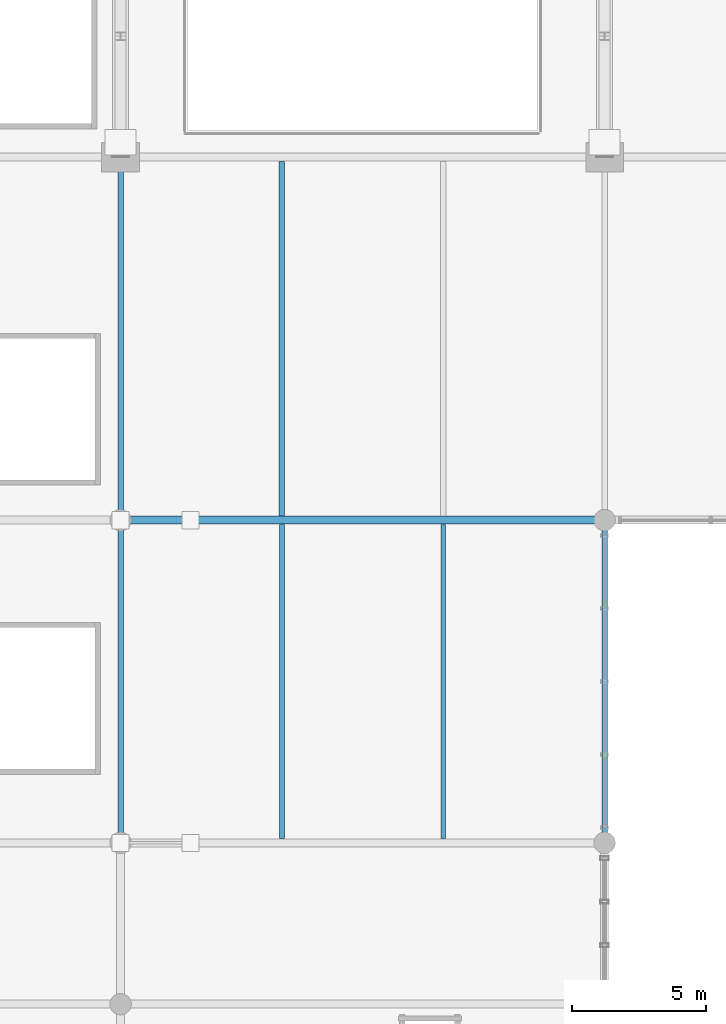
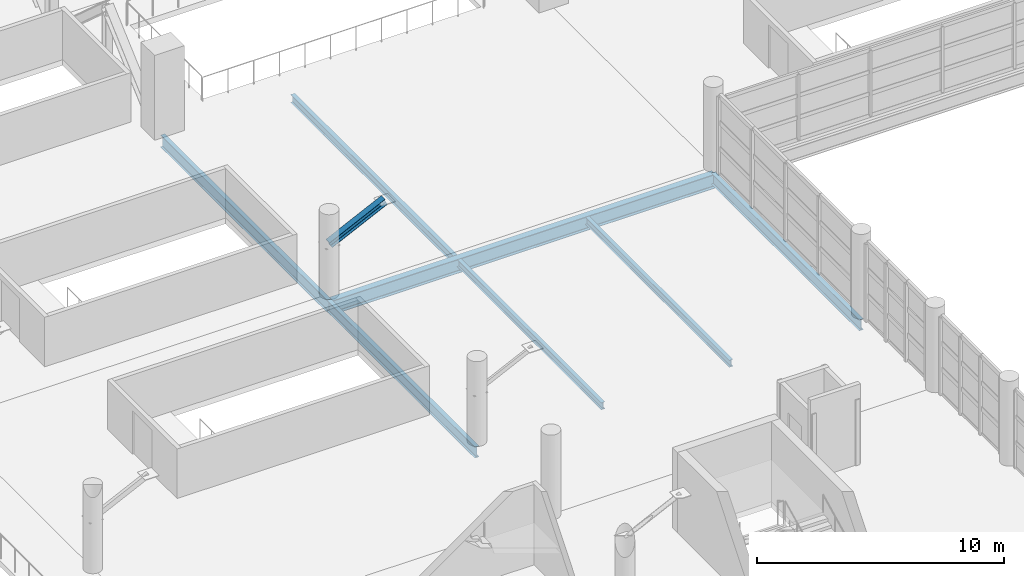
# One storey, part 20 of 136: 7 beams, 1 member.
"""IFC4 building model written with IfcOpenShell, lengths in metres."""

from ifc_helpers import new_model, si_unit, direction, frame, origin, origin_2d, place, context, subcontext, project, spatial, i_section, extrude, material, material_profile, profile_set, type_object, element, save


model = new_model("IFC4")

# Units and contexts
model_context = context("Model", 3, precision=1e-05, world=origin(), true_north=direction((0.0, 1.0)))
body_context = subcontext(model_context, "Body", "Model", "MODEL_VIEW")
ifc_project = project(units=[si_unit("LENGTHUNIT", "METRE"), si_unit("AREAUNIT", "SQUARE_METRE"), si_unit("VOLUMEUNIT", "CUBIC_METRE"), si_unit("PLANEANGLEUNIT", "RADIAN"), si_unit("MASSUNIT", "GRAM", prefix="KILO")], contexts=[model_context])

# Site, building, storey
site_placement = place(None, origin())
site = spatial("IfcSite", under=ifc_project, at=site_placement, CompositionType="ELEMENT")
building_placement = place(site_placement, origin())
building = spatial("IfcBuilding", under=site, at=building_placement, Name="Chuanluo Vaults Station", CompositionType="ELEMENT")
storey_placement = place(building_placement, frame((0.0, 0.0, 6.60009765625)))
storey = spatial("IfcBuildingStorey", under=building, at=storey_placement, Name="L01", CompositionType="ELEMENT", Elevation=6.60009765625)

# Beams
ifc_material_1 = material(Name="Steel Q355C", Category="steel")
ifc_material_profile_1 = material_profile(ifc_material_1, i_section(OverallWidth=0.199951171875, OverallDepth=0.550048828125, WebThickness=0.010009765625, FlangeThickness=0.01611328125, FilletRadius=0.01806640625, at=origin_2d()))
ifc_profile_set_1 = profile_set([ifc_material_profile_1], Name="Steel Q355C")
beam_type_1 = type_object("IfcBeamType", Name="BM-GRD-550", PredefinedType="USERDEFINED", material=ifc_profile_set_1)
for number, where, z_axis, x_axis, name in (
    (1, (72.0, 42.0, -0.55517578125), (0.0, 1.0, 0.0), (-1.0, 0.0, 0.0), "Floor girder BM:GY:L01:0436"),
    (2, (90.0, 42.0, -0.55517578125), (0.0, 1.0, 0.0), (-1.0, 0.0, 0.0), "Floor girder BM:GY:L01:0443"),
):
    element("IfcBeam", number, at=place(storey_placement, frame(where, z_axis=z_axis, x_axis=x_axis)), inside=storey, type_object=beam_type_1, Name=name, ObjectType="GIRDER", PredefinedType="USERDEFINED", context=body_context, shape_type="SweptSolid", body=[
        extrude(i_section(OverallWidth=0.199951171875, OverallDepth=0.550048828125, WebThickness=0.010009765625, FlangeThickness=0.01611328125, FilletRadius=0.01806640625, at=origin_2d()), origin(), (0.0, 0.0, 1.0), 12.0),
    ])
ifc_material_2 = material(Name="Steel Q355C", Category="steel")
ifc_material_profile_2 = material_profile(ifc_material_2, i_section(OverallWidth=0.199951171875, OverallDepth=0.60009765625, WebThickness=0.010986328125, FlangeThickness=0.01708984375, FilletRadius=0.01806640625, at=origin_2d()))
ifc_profile_set_2 = profile_set([ifc_material_profile_2], Name="Steel Q355C")
beam_type_2 = type_object("IfcBeamType", Name="BM-GRD-600", PredefinedType="USERDEFINED", material=ifc_profile_set_2)
beam_1_placement = place(storey_placement, frame((72.0, 54.0, -0.580078125), z_axis=(0.0, 1.0, 0.0), x_axis=(-1.0, 0.0, 0.0)))
element("IfcBeam", 3, at=beam_1_placement, inside=storey, type_object=beam_type_2, Name="Floor girder BM:GY:L01:0437", ObjectType="GIRDER", PredefinedType="USERDEFINED", context=body_context, shape_type="SweptSolid", body=[
    extrude(i_section(OverallWidth=0.199951171875, OverallDepth=0.60009765625, WebThickness=0.010986328125, FlangeThickness=0.01708984375, FilletRadius=0.01806640625, at=origin_2d()), origin(), (0.0, 0.0, 1.0), 13.5),
])
ifc_material_3 = material(Name="Steel Q355C", Category="steel")
ifc_material_profile_3 = material_profile(ifc_material_3, i_section(OverallWidth=0.300048828125, OverallDepth=0.699951171875, WebThickness=0.012939453125, FlangeThickness=0.02392578125, FilletRadius=0.02197265625, at=origin_2d()))
ifc_profile_set_3 = profile_set([ifc_material_profile_3], Name="Steel Q355C")
beam_type_3 = type_object("IfcBeamType", Name="BM-GRD-700", PredefinedType="USERDEFINED", material=ifc_profile_set_3)
beam_2_placement = place(storey_placement, frame((72.0, 54.0, -0.630126953125), z_axis=(1.0, 0.0, 0.0), x_axis=(0.0, 1.0, 0.0)))
element("IfcBeam", 4, at=beam_2_placement, inside=storey, type_object=beam_type_3, Name="Floor girder BM:GX:L01:0326", ObjectType="GIRDER", PredefinedType="USERDEFINED", context=body_context, shape_type="SweptSolid", body=[
    extrude(i_section(OverallWidth=0.300048828125, OverallDepth=0.699951171875, WebThickness=0.012939453125, FlangeThickness=0.02392578125, FilletRadius=0.02197265625, at=origin_2d()), origin(), (0.0, 0.0, 1.0), 18.0),
])
ifc_material_4 = material(Name="Steel Q355C", Category="steel")
ifc_material_profile_4 = material_profile(ifc_material_4, i_section(OverallWidth=0.175048828125, OverallDepth=0.35009765625, WebThickness=0.007080078125, FlangeThickness=0.010986328125, FilletRadius=0.013916015625, at=origin_2d()))
ifc_profile_set_4 = profile_set([ifc_material_profile_4], Name="Steel Q355C")
beam_type_4 = type_object("IfcBeamType", Name="BM-SEC-350", PredefinedType="JOIST", material=ifc_profile_set_4)
for number, where, z_axis, x_axis, name in (
    (5, (78.0, 42.155029296875, -0.455078125), (0.0, 1.0, 0.0), (-1.0, 0.0, 0.0), "Composite secondary joist 0128"),
    (6, (84.0, 42.155029296875, -0.455078125), (0.0, 1.0, 0.0), (-1.0, 0.0, 0.0), "Composite secondary joist 0129"),
):
    element("IfcBeam", number, at=place(storey_placement, frame(where, z_axis=z_axis, x_axis=x_axis)), inside=storey, type_object=beam_type_4, Name=name, PredefinedType="JOIST", context=body_context, shape_type="SweptSolid", body=[
        extrude(i_section(OverallWidth=0.175048828125, OverallDepth=0.35009765625, WebThickness=0.007080078125, FlangeThickness=0.010986328125, FilletRadius=0.013916015625, at=origin_2d()), origin(), (0.0, 0.0, 1.0), 11.68994140625),
    ])
ifc_material_5 = material(Name="Steel Q355C", Category="steel")
ifc_material_profile_5 = material_profile(ifc_material_5, i_section(OverallWidth=0.199951171875, OverallDepth=0.39990234375, WebThickness=0.008056640625, FlangeThickness=0.012939453125, FilletRadius=0.01611328125, at=origin_2d()))
ifc_profile_set_5 = profile_set([ifc_material_profile_5], Name="Steel Q355C")
beam_type_5 = type_object("IfcBeamType", Name="BM-SEC-400", PredefinedType="BEAM", material=ifc_profile_set_5)
beam_3_placement = place(storey_placement, frame((78.0, 54.155029296875, -0.47998046875), z_axis=(0.0, 1.0, 0.0), x_axis=(-1.0, 0.0, 0.0)))
element("IfcBeam", 7, at=beam_3_placement, inside=storey, type_object=beam_type_5, Name="Composite secondary joist 0130", PredefinedType="BEAM", context=body_context, shape_type="SweptSolid", body=[
    extrude(i_section(OverallWidth=0.199951171875, OverallDepth=0.39990234375, WebThickness=0.008056640625, FlangeThickness=0.012939453125, FilletRadius=0.01611328125, at=origin_2d()), origin(), (0.0, 0.0, 1.0), 13.18994140625),
])

# Member
ifc_material_6 = material(Name="Steel Q355C", Category="steel")
ifc_material_profile_6 = material_profile(ifc_material_6, i_section(OverallWidth=0.300048828125, OverallDepth=0.31005859375, WebThickness=0.010009765625, FlangeThickness=0.014892578125, FilletRadius=0.01806640625, at=origin_2d()))
ifc_profile_set_6 = profile_set([ifc_material_profile_6], Name="Steel Q355C")
member_type = type_object("IfcMemberType", Name="MEM-CAN-Y2", PredefinedType="STRUT", material=ifc_profile_set_6)
member_placement = place(storey_placement, frame((72.0, 54.0, 2.5), z_axis=(0.901258779583, 0.0, 0.4332812161), x_axis=(0.0, 1.0, 0.0)))
element("IfcMember", 8, at=member_placement, inside=storey, type_object=member_type, Name="Concourse gallery knee strut 16", PredefinedType="STRUT", context=body_context, shape_type="SweptSolid", body=[
    extrude(i_section(OverallWidth=0.300048828125, OverallDepth=0.31005859375, WebThickness=0.010009765625, FlangeThickness=0.014892578125, FilletRadius=0.01806640625, at=origin_2d()), origin(), (0.0, 0.0, 1.0), 2.885009765625),
])

save(model, "model.ifc")
